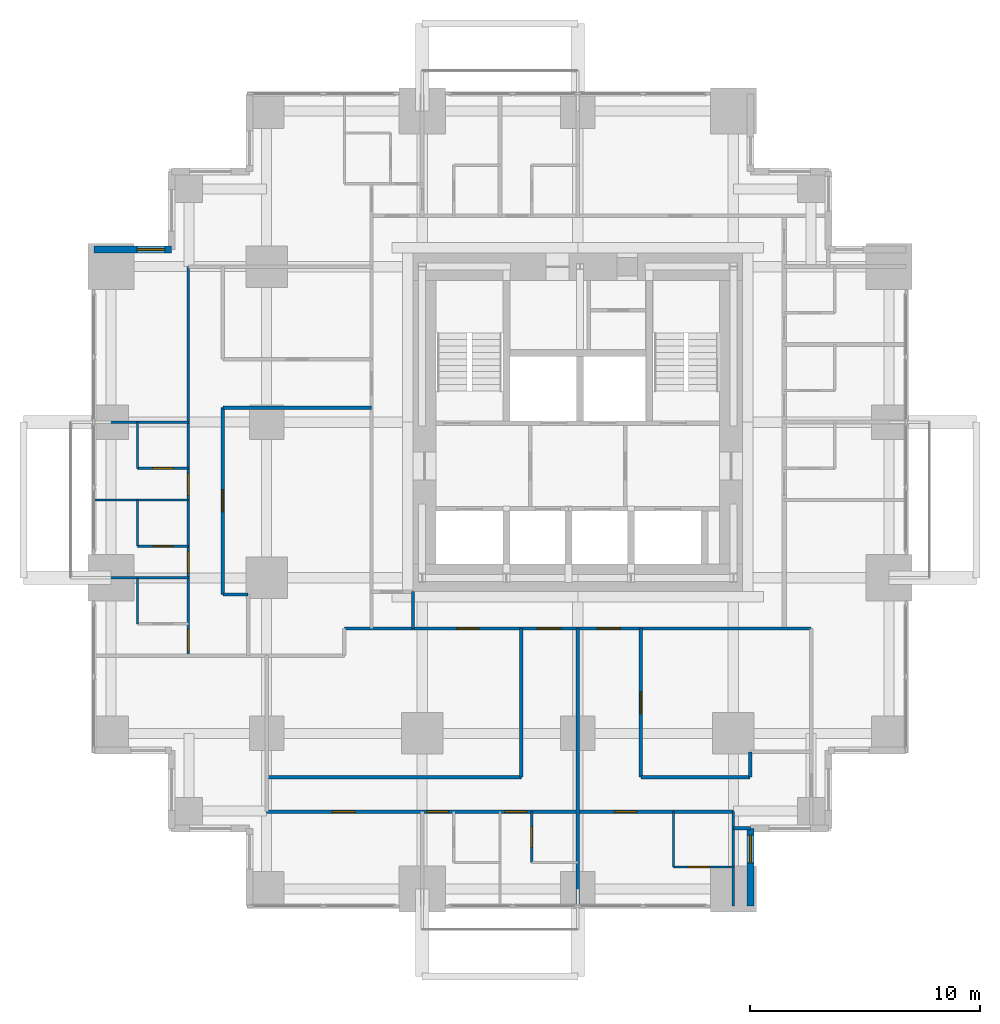
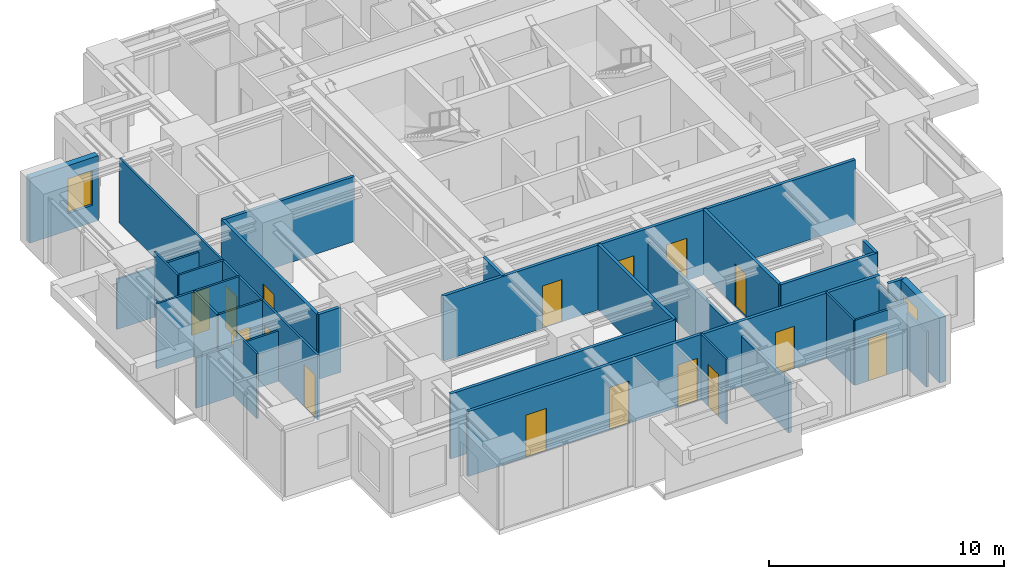
# One storey, part 6 of 10: 28 walls, 16 doors, 2 windows, 18 openings.
"""IFC4 building model written with IfcOpenShell, lengths in metres."""

from ifc_helpers import new_model, si_unit, direction, frame, frame_2d, origin, place, context, subcontext, project, spatial, rectangle, extrude, material, layer, layer_set, type_object, element, fill, save


model = new_model("IFC4")

# Units and contexts
model_context = context("Model", 3, precision=1e-05, world=origin(), true_north=direction((0.0, 1.0)))
body_context = subcontext(model_context, "Body", "Model", "MODEL_VIEW")
ifc_project = project(units=[si_unit("LENGTHUNIT", "METRE"), si_unit("AREAUNIT", "SQUARE_METRE"), si_unit("VOLUMEUNIT", "CUBIC_METRE"), si_unit("PLANEANGLEUNIT", "RADIAN"), si_unit("MASSUNIT", "GRAM", prefix="KILO")], contexts=[model_context])

# Site, building, storey
site_placement = place(None, origin())
site = spatial("IfcSite", under=ifc_project, at=site_placement, CompositionType="ELEMENT")
building_placement = place(site_placement, origin())
building = spatial("IfcBuilding", under=site, at=building_placement, Name="Nyansa Garden Tower", CompositionType="ELEMENT")
storey_placement = place(building_placement, frame((0.0, 0.0, 145.800048828125)))
storey = spatial("IfcBuildingStorey", under=building, at=storey_placement, Name="L39", CompositionType="ELEMENT", Elevation=145.800048828125)

# Wall, opening, door
ifc_material_1 = material(Name="Blockwork, plastered both sides", Category="masonry")
ifc_layer_1 = layer(ifc_material_1, 0.14990234375)
ifc_layer_set_1 = layer_set([ifc_layer_1], Name="Partition PW150")
wall_type_1 = type_object("IfcWallType", Name="Partition PW150", PredefinedType="PARTITIONING", material=ifc_layer_set_1)
wall_1_placement = place(storey_placement, frame((4.85009765625, 12.77490234375, 0.0), z_axis=(0.0, 0.0, 1.0), x_axis=(0.0, 1.0, 0.0)))
wall_1 = element("IfcWall", 1, at=wall_1_placement, inside=storey, type_object=wall_type_1, Name="Partition", PredefinedType="PARTITIONING", context=body_context, shape_type="SweptSolid", body=[
    extrude(rectangle(XDim=8.112548828125, YDim=0.14990234375, at=frame_2d((4.05615234375, 0.0))), origin(), (0.0, 0.0, 1.0), 3.375),
])
opening_1_placement = place(wall_1_placement, frame((3.60009765625, 0.0, 0.0)))
opening_1 = element("IfcOpeningElement", 2, at=opening_1_placement, cuts=wall_1, Name="Opening D01", PredefinedType="OPENING", context=body_context, shape_type="SweptSolid", body=[
    extrude(rectangle(XDim=0.949951171875, YDim=2.199951171875, at=frame_2d((0.47509765625, 1.10009765625))), frame((0.0, 0.0849609375, 0.0), z_axis=(0.0, -1.0, 0.0), x_axis=(1.0, 0.0, 0.0)), (0.0, 0.0, 1.0), 0.169921875),
])
ifc_material_2 = material(Name="Timber flush door, 30 minute fire resisting", Category="wood")
door_type_1 = type_object("IfcDoorType", Name="Bedroom door D01 950x2200", OperationType="SINGLE_SWING_LEFT", PredefinedType="DOOR", material=ifc_material_2)
door_1_placement = place(opening_1_placement, origin())
door_1 = element("IfcDoor", 3, at=door_1_placement, inside=storey, type_object=door_type_1, Name="Door L39-053", OperationType="SINGLE_SWING_LEFT", OverallHeight=2.199951171875, OverallWidth=0.949951171875, PredefinedType="DOOR", context=body_context, shape_type="SweptSolid", body=[
    extrude(rectangle(XDim=0.949951171875, YDim=2.199951171875, at=frame_2d((0.47509765625, 1.10009765625))), frame((0.0, 0.02490234375, 0.0), z_axis=(0.0, -1.0, 0.0), x_axis=(1.0, 0.0, 0.0)), (0.0, 0.0, 1.0), 0.050048828125),
])
fill(opening_1, door_1)

# Walls
wall_2_placement = place(storey_placement, frame((4.85009765625, 12.77490234375, 0.0), z_axis=(0.0, 0.0, 1.0), x_axis=(1.0, 0.0, 0.0)))
element("IfcWall", 4, at=wall_2_placement, inside=storey, type_object=wall_type_1, Name="Partition", PredefinedType="PARTITIONING", context=body_context, shape_type="SweptSolid", body=[
    extrude(rectangle(XDim=1.099853515625, YDim=0.14990234375, at=frame_2d((0.5498046875, 0.0))), origin(), (0.0, 0.0, 1.0), 3.375),
])
wall_3_placement = place(storey_placement, frame((4.85009765625, 20.886962890625, 0.0), z_axis=(0.0, 0.0, 1.0), x_axis=(1.0, 0.0, 0.0)))
element("IfcWall", 5, at=wall_3_placement, inside=storey, type_object=wall_type_1, Name="Partition", PredefinedType="PARTITIONING", context=body_context, shape_type="SweptSolid", body=[
    extrude(rectangle(XDim=6.449951171875, YDim=0.14990234375, at=frame_2d((3.22509765625, 0.0))), origin(), (0.0, 0.0, 1.0), 3.375),
])

# Wall, openings, doors
wall_4_placement = place(storey_placement, frame((6.75, 3.35009765625, 0.0), z_axis=(0.0, 0.0, 1.0), x_axis=(1.0, 0.0, 0.0)))
wall_4 = element("IfcWall", 6, at=wall_4_placement, inside=storey, type_object=wall_type_1, Name="Partition", PredefinedType="PARTITIONING", context=body_context, shape_type="SweptSolid", body=[
    extrude(rectangle(XDim=20.25, YDim=0.14990234375, at=frame_2d((10.125, 0.0))), origin(), (0.0, 0.0, 1.0), 3.375),
])
opening_2_placement = place(wall_4_placement, frame((2.85009765625, 0.0, 0.0)))
opening_2 = element("IfcOpeningElement", 7, at=opening_2_placement, cuts=wall_4, Name="Opening D03", PredefinedType="OPENING", context=body_context, shape_type="SweptSolid", body=[
    extrude(rectangle(XDim=1.0, YDim=2.199951171875, at=frame_2d((0.5, 1.10009765625))), frame((0.0, 0.0849609375, 0.0), z_axis=(0.0, -1.0, 0.0), x_axis=(1.0, 0.0, 0.0)), (0.0, 0.0, 1.0), 0.169921875),
])
opening_3_placement = place(wall_4_placement, frame((6.949951171875, 0.0, 0.0)))
opening_3 = element("IfcOpeningElement", 8, at=opening_3_placement, cuts=wall_4, Name="Opening D01", PredefinedType="OPENING", context=body_context, shape_type="SweptSolid", body=[
    extrude(rectangle(XDim=0.949951171875, YDim=2.199951171875, at=frame_2d((0.47509765625, 1.10009765625))), frame((0.0, 0.0849609375, 0.0), z_axis=(0.0, -1.0, 0.0), x_axis=(1.0, 0.0, 0.0)), (0.0, 0.0, 1.0), 0.169921875),
])
opening_4_placement = place(wall_4_placement, frame((10.324951171875, 0.0, 0.0)))
opening_4 = element("IfcOpeningElement", 9, at=opening_4_placement, cuts=wall_4, Name="Opening D01", PredefinedType="OPENING", context=body_context, shape_type="SweptSolid", body=[
    extrude(rectangle(XDim=0.949951171875, YDim=2.199951171875, at=frame_2d((0.47509765625, 1.10009765625))), frame((0.0, 0.0849609375, 0.0), z_axis=(0.0, -1.0, 0.0), x_axis=(1.0, 0.0, 0.0)), (0.0, 0.0, 1.0), 0.169921875),
])
opening_5_placement = place(wall_4_placement, frame((15.10009765625, 0.0, 0.0)))
opening_5 = element("IfcOpeningElement", 10, at=opening_5_placement, cuts=wall_4, Name="Opening D14", PredefinedType="OPENING", context=body_context, shape_type="SweptSolid", body=[
    extrude(rectangle(XDim=0.949951171875, YDim=2.199951171875, at=frame_2d((0.47509765625, 1.10009765625))), frame((0.0, 0.0849609375, 0.0), z_axis=(0.0, -1.0, 0.0), x_axis=(1.0, 0.0, 0.0)), (0.0, 0.0, 1.0), 0.169921875),
])
door_2_placement = place(opening_3_placement, origin())
door_2 = element("IfcDoor", 11, at=door_2_placement, inside=storey, type_object=door_type_1, Name="Door L39-019", OperationType="SINGLE_SWING_LEFT", OverallHeight=2.199951171875, OverallWidth=0.949951171875, PredefinedType="DOOR", context=body_context, shape_type="SweptSolid", body=[
    extrude(rectangle(XDim=0.949951171875, YDim=2.199951171875, at=frame_2d((0.47509765625, 1.10009765625))), frame((0.0, 0.02490234375, 0.0), z_axis=(0.0, -1.0, 0.0), x_axis=(1.0, 0.0, 0.0)), (0.0, 0.0, 1.0), 0.050048828125),
])
fill(opening_3, door_2)
door_3_placement = place(opening_4_placement, origin())
door_3 = element("IfcDoor", 12, at=door_3_placement, inside=storey, type_object=door_type_1, Name="Door L39-021", OperationType="SINGLE_SWING_LEFT", OverallHeight=2.199951171875, OverallWidth=0.949951171875, PredefinedType="DOOR", context=body_context, shape_type="SweptSolid", body=[
    extrude(rectangle(XDim=0.949951171875, YDim=2.199951171875, at=frame_2d((0.47509765625, 1.10009765625))), frame((0.0, 0.02490234375, 0.0), z_axis=(0.0, -1.0, 0.0), x_axis=(1.0, 0.0, 0.0)), (0.0, 0.0, 1.0), 0.050048828125),
])
fill(opening_4, door_3)
ifc_material_3 = material(Name="Timber flush door, 60 minute fire resisting", Category="wood")
door_type_2 = type_object("IfcDoorType", Name="Cluster entrance door D03 1000x2200", OperationType="SINGLE_SWING_LEFT", PredefinedType="DOOR", material=ifc_material_3)
door_4_placement = place(opening_2_placement, origin())
door_4 = element("IfcDoor", 13, at=door_4_placement, inside=storey, type_object=door_type_2, Name="Door L39-018", OperationType="SINGLE_SWING_LEFT", OverallHeight=2.199951171875, OverallWidth=1.0, PredefinedType="DOOR", context=body_context, shape_type="SweptSolid", body=[
    extrude(rectangle(XDim=1.0, YDim=2.199951171875, at=frame_2d((0.5, 1.10009765625))), frame((0.0, 0.02490234375, 0.0), z_axis=(0.0, -1.0, 0.0), x_axis=(1.0, 0.0, 0.0)), (0.0, 0.0, 1.0), 0.050048828125),
])
fill(opening_2, door_4)
ifc_material_4 = material(Name="Timber flush door, 60 minute fire resisting, self-closing", Category="wood")
door_type_3 = type_object("IfcDoorType", Name="Studio entrance door D14 950x2200", OperationType="SINGLE_SWING_LEFT", PredefinedType="DOOR", material=ifc_material_4)
door_5_placement = place(opening_5_placement, origin())
door_5 = element("IfcDoor", 14, at=door_5_placement, inside=storey, type_object=door_type_3, Name="Door L39-024", OperationType="SINGLE_SWING_LEFT", OverallHeight=2.199951171875, OverallWidth=0.949951171875, PredefinedType="DOOR", context=body_context, shape_type="SweptSolid", body=[
    extrude(rectangle(XDim=0.949951171875, YDim=2.199951171875, at=frame_2d((0.47509765625, 1.10009765625))), frame((0.0, 0.02490234375, 0.0), z_axis=(0.0, -1.0, 0.0), x_axis=(1.0, 0.0, 0.0)), (0.0, 0.0, 1.0), 0.050048828125),
])
fill(opening_5, door_5)

# Wall
wall_5_placement = place(storey_placement, frame((6.75, 4.85009765625, 0.0), z_axis=(0.0, 0.0, 1.0), x_axis=(1.0, 0.0, 0.0)))
element("IfcWall", 15, at=wall_5_placement, inside=storey, type_object=wall_type_1, Name="Partition", PredefinedType="PARTITIONING", context=body_context, shape_type="SweptSolid", body=[
    extrude(rectangle(XDim=11.050048828125, YDim=0.14990234375, at=frame_2d((5.52490234375, 0.0))), origin(), (0.0, 0.0, 1.0), 3.375),
])

# Wall, openings, doors
wall_6_placement = place(storey_placement, frame((10.125, 11.300048828125, 0.0), z_axis=(0.0, 0.0, 1.0), x_axis=(1.0, 0.0, 0.0)))
wall_6 = element("IfcWall", 16, at=wall_6_placement, inside=storey, type_object=wall_type_1, Name="Partition", PredefinedType="PARTITIONING", context=body_context, shape_type="SweptSolid", body=[
    extrude(rectangle(XDim=20.25, YDim=0.14990234375, at=frame_2d((10.125, 0.0))), origin(), (0.0, 0.0, 1.0), 3.375),
])
opening_6_placement = place(wall_6_placement, frame((8.375, 0.0, 0.0)))
opening_6 = element("IfcOpeningElement", 17, at=opening_6_placement, cuts=wall_6, Name="Opening D03", PredefinedType="OPENING", context=body_context, shape_type="SweptSolid", body=[
    extrude(rectangle(XDim=1.0, YDim=2.199951171875, at=frame_2d((0.5, 1.10009765625))), frame((0.0, 0.0849609375, 0.0), z_axis=(0.0, -1.0, 0.0), x_axis=(1.0, 0.0, 0.0)), (0.0, 0.0, 1.0), 0.169921875),
])
opening_7_placement = place(wall_6_placement, frame((10.97509765625, 0.0, 0.0)))
opening_7 = element("IfcOpeningElement", 18, at=opening_7_placement, cuts=wall_6, Name="Opening D03", PredefinedType="OPENING", context=body_context, shape_type="SweptSolid", body=[
    extrude(rectangle(XDim=1.0, YDim=2.199951171875, at=frame_2d((0.5, 1.10009765625))), frame((0.0, 0.0849609375, 0.0), z_axis=(0.0, -1.0, 0.0), x_axis=(1.0, 0.0, 0.0)), (0.0, 0.0, 1.0), 0.169921875),
])
opening_8_placement = place(wall_6_placement, frame((4.875, 0.0, 0.0)))
opening_8 = element("IfcOpeningElement", 19, at=opening_8_placement, cuts=wall_6, Name="Opening D01", PredefinedType="OPENING", context=body_context, shape_type="SweptSolid", body=[
    extrude(rectangle(XDim=0.949951171875, YDim=2.199951171875, at=frame_2d((0.47509765625, 1.10009765625))), frame((0.0, 0.0849609375, 0.0), z_axis=(0.0, -1.0, 0.0), x_axis=(1.0, 0.0, 0.0)), (0.0, 0.0, 1.0), 0.169921875),
])
door_6_placement = place(opening_8_placement, origin())
door_6 = element("IfcDoor", 20, at=door_6_placement, inside=storey, type_object=door_type_1, Name="Door L39-027", OperationType="SINGLE_SWING_LEFT", OverallHeight=2.199951171875, OverallWidth=0.949951171875, PredefinedType="DOOR", context=body_context, shape_type="SweptSolid", body=[
    extrude(rectangle(XDim=0.949951171875, YDim=2.199951171875, at=frame_2d((0.47509765625, 1.10009765625))), frame((0.0, 0.02490234375, 0.0), z_axis=(0.0, -1.0, 0.0), x_axis=(1.0, 0.0, 0.0)), (0.0, 0.0, 1.0), 0.050048828125),
])
fill(opening_8, door_6)
door_7_placement = place(opening_6_placement, origin())
door_7 = element("IfcDoor", 21, at=door_7_placement, inside=storey, type_object=door_type_2, Name="Door L39-023", OperationType="SINGLE_SWING_LEFT", OverallHeight=2.199951171875, OverallWidth=1.0, PredefinedType="DOOR", context=body_context, shape_type="SweptSolid", body=[
    extrude(rectangle(XDim=1.0, YDim=2.199951171875, at=frame_2d((0.5, 1.10009765625))), frame((0.0, 0.02490234375, 0.0), z_axis=(0.0, -1.0, 0.0), x_axis=(1.0, 0.0, 0.0)), (0.0, 0.0, 1.0), 0.050048828125),
])
fill(opening_6, door_7)
door_8_placement = place(opening_7_placement, origin())
door_8 = element("IfcDoor", 22, at=door_8_placement, inside=storey, type_object=door_type_2, Name="Door L39-026", OperationType="SINGLE_SWING_LEFT", OverallHeight=2.199951171875, OverallWidth=1.0, PredefinedType="DOOR", context=body_context, shape_type="SweptSolid", body=[
    extrude(rectangle(XDim=1.0, YDim=2.199951171875, at=frame_2d((0.5, 1.10009765625))), frame((0.0, 0.02490234375, 0.0), z_axis=(0.0, -1.0, 0.0), x_axis=(1.0, 0.0, 0.0)), (0.0, 0.0, 1.0), 0.050048828125),
])
fill(opening_7, door_8)

# Walls
wall_7_placement = place(storey_placement, frame((13.10009765625, 11.300048828125, 0.0), z_axis=(0.0, 0.0, 1.0), x_axis=(0.0, 1.0, 0.0)))
element("IfcWall", 23, at=wall_7_placement, inside=storey, type_object=wall_type_1, Name="Partition", PredefinedType="PARTITIONING", context=body_context, shape_type="SweptSolid", body=[
    extrude(rectangle(XDim=1.599853515625, YDim=0.14990234375, at=frame_2d((0.7998046875, 0.0))), origin(), (0.0, 0.0, 1.0), 3.375),
])
wall_8_placement = place(storey_placement, frame((17.800048828125, 4.85009765625, 0.0), z_axis=(0.0, 0.0, 1.0), x_axis=(0.0, 1.0, 0.0)))
element("IfcWall", 24, at=wall_8_placement, inside=storey, type_object=wall_type_1, Name="Partition", PredefinedType="PARTITIONING", context=body_context, shape_type="SweptSolid", body=[
    extrude(rectangle(XDim=6.449951171875, YDim=0.14990234375, at=frame_2d((3.22509765625, 0.0))), origin(), (0.0, 0.0, 1.0), 3.375),
])
wall_9_placement = place(storey_placement, frame((20.25, -0.73388671875, 0.0), z_axis=(0.0, 0.0, 1.0), x_axis=(0.0, 1.0, 0.0)))
element("IfcWall", 25, at=wall_9_placement, inside=storey, type_object=wall_type_1, Name="Partition", PredefinedType="PARTITIONING", context=body_context, shape_type="SweptSolid", body=[
    extrude(rectangle(XDim=12.033935546875, YDim=0.14990234375, at=frame_2d((6.01708984375, 0.0))), origin(), (0.0, 0.0, 1.0), 2.60986328125),
])
wall_10_placement = place(storey_placement, frame((22.987548828125, 4.85009765625, 0.0), z_axis=(0.0, 0.0, 1.0), x_axis=(1.0, 0.0, 0.0)))
element("IfcWall", 26, at=wall_10_placement, inside=storey, type_object=wall_type_1, Name="Partition", PredefinedType="PARTITIONING", context=body_context, shape_type="SweptSolid", body=[
    extrude(rectangle(XDim=4.737548828125, YDim=0.14990234375, at=frame_2d((2.36865234375, 0.0))), origin(), (0.0, 0.0, 1.0), 3.375),
])

# Wall, opening, door
wall_11_placement = place(storey_placement, frame((22.988037109375, 4.85009765625, 0.0), z_axis=(0.0, 0.0, 1.0), x_axis=(0.0, 1.0, 0.0)))
wall_11 = element("IfcWall", 27, at=wall_11_placement, inside=storey, type_object=wall_type_1, Name="Partition", PredefinedType="PARTITIONING", context=body_context, shape_type="SweptSolid", body=[
    extrude(rectangle(XDim=6.449951171875, YDim=0.14990234375, at=frame_2d((3.22509765625, 0.0))), origin(), (0.0, 0.0, 1.0), 3.375),
])
opening_9_placement = place(wall_11_placement, frame((2.75, 0.0, 0.0)))
opening_9 = element("IfcOpeningElement", 28, at=opening_9_placement, cuts=wall_11, Name="Opening D01", PredefinedType="OPENING", context=body_context, shape_type="SweptSolid", body=[
    extrude(rectangle(XDim=0.949951171875, YDim=2.199951171875, at=frame_2d((0.47509765625, 1.10009765625))), frame((0.0, 0.0849609375, 0.0), z_axis=(0.0, -1.0, 0.0), x_axis=(1.0, 0.0, 0.0)), (0.0, 0.0, 1.0), 0.169921875),
])
door_9_placement = place(opening_9_placement, origin())
door_9 = element("IfcDoor", 29, at=door_9_placement, inside=storey, type_object=door_type_1, Name="Door L39-028", OperationType="SINGLE_SWING_LEFT", OverallHeight=2.199951171875, OverallWidth=0.949951171875, PredefinedType="DOOR", context=body_context, shape_type="SweptSolid", body=[
    extrude(rectangle(XDim=0.949951171875, YDim=2.199951171875, at=frame_2d((0.47509765625, 1.10009765625))), frame((0.0, 0.02490234375, 0.0), z_axis=(0.0, -1.0, 0.0), x_axis=(1.0, 0.0, 0.0)), (0.0, 0.0, 1.0), 0.050048828125),
])
fill(opening_9, door_9)

# Walls
wall_12_placement = place(storey_placement, frame((27.0, 2.625, 0.0), z_axis=(0.0, 0.0, 1.0), x_axis=(1.0, 0.0, 0.0)))
element("IfcWall", 30, at=wall_12_placement, inside=storey, type_object=wall_type_1, Name="Partition", PredefinedType="PARTITIONING", context=body_context, shape_type="SweptSolid", body=[
    extrude(rectangle(XDim=0.73388671875, YDim=0.14990234375, at=frame_2d((0.366943359375, 0.0))), origin(), (0.0, 0.0, 1.0), 3.375),
])
wall_13_placement = place(storey_placement, frame((27.72509765625, 4.85009765625, 0.0), z_axis=(0.0, 0.0, 1.0), x_axis=(0.0, 1.0, 0.0)))
element("IfcWall", 31, at=wall_13_placement, inside=storey, type_object=wall_type_1, Name="Partition", PredefinedType="PARTITIONING", context=body_context, shape_type="SweptSolid", body=[
    extrude(rectangle(XDim=1.099853515625, YDim=0.14990234375, at=frame_2d((0.5498046875, 0.0))), origin(), (0.0, 0.0, 1.0), 3.375),
])

# Wall, opening, window
ifc_material_5 = material(Name="Turquoise glazed tile on concrete blockwork", Category="masonry")
ifc_layer_2 = layer(ifc_material_5, 0.300048828125)
ifc_layer_set_2 = layer_set([ifc_layer_2], Name="Tiled corner wall TW300")
wall_type_2 = type_object("IfcWallType", Name="Tiled corner wall TW300", PredefinedType="SOLIDWALL", material=ifc_layer_set_2)
wall_14_placement = place(storey_placement, frame((2.625, 27.75, 0.0), z_axis=(0.0, 0.0, 1.0), x_axis=(-1.0, 0.0, 0.0)))
wall_14 = element("IfcWall", 32, at=wall_14_placement, inside=storey, type_object=wall_type_2, Name="Tiled corner wall L39", PredefinedType="SOLIDWALL", context=body_context, shape_type="SweptSolid", body=[
    extrude(rectangle(XDim=3.375, YDim=0.300048828125, at=frame_2d((1.6875, 0.0))), origin(), (0.0, 0.0, 1.0), 3.375),
])
opening_10_placement = place(wall_14_placement, frame((0.29248046875, 0.0, 0.89990234375)))
opening_10 = element("IfcOpeningElement", 33, at=opening_10_placement, cuts=wall_14, Name="Opening W4", PredefinedType="OPENING", context=body_context, shape_type="SweptSolid", body=[
    extrude(rectangle(XDim=1.199951171875, YDim=1.800048828125, at=frame_2d((0.60009765625, 0.89990234375))), frame((0.0, 0.159912109375, 0.0), z_axis=(0.0, -1.0, 0.0), x_axis=(1.0, 0.0, 0.0)), (0.0, 0.0, 1.0), 0.320068359375),
])
ifc_material_6 = material(Name="Black aluminium frame, dark tinted double glazing", Category="aluminium")
window_type = type_object("IfcWindowType", Name="Window W4 1200x1800", PartitioningType="SINGLE_PANEL", PredefinedType="WINDOW", material=ifc_material_6)
window_1_placement = place(opening_10_placement, origin())
window_1 = element("IfcWindow", 34, at=window_1_placement, inside=storey, type_object=window_type, Name="Corner window L39", OverallHeight=1.800048828125, OverallWidth=1.199951171875, PartitioningType="SINGLE_PANEL", PredefinedType="WINDOW", context=body_context, shape_type="SweptSolid", body=[
    extrude(rectangle(XDim=1.199951171875, YDim=1.800048828125, at=frame_2d((0.60009765625, 0.89990234375))), frame((0.0, 0.030029296875, 0.0), z_axis=(0.0, -1.0, 0.0), x_axis=(1.0, 0.0, 0.0)), (0.0, 0.0, 1.0), 0.06005859375),
])
fill(opening_10, window_1)

wall_15_placement = place(storey_placement, frame((27.75, -0.75, 0.0), z_axis=(0.0, 0.0, 1.0), x_axis=(0.0, 1.0, 0.0)))
wall_15 = element("IfcWall", 35, at=wall_15_placement, inside=storey, type_object=wall_type_2, Name="Tiled corner wall L39", PredefinedType="SOLIDWALL", context=body_context, shape_type="SweptSolid", body=[
    extrude(rectangle(XDim=3.375, YDim=0.300048828125, at=frame_2d((1.6875, 0.0))), origin(), (0.0, 0.0, 1.0), 3.375),
])
opening_11_placement = place(wall_15_placement, frame((1.882568359375, 0.0, 0.89990234375)))
opening_11 = element("IfcOpeningElement", 36, at=opening_11_placement, cuts=wall_15, Name="Opening W4", PredefinedType="OPENING", context=body_context, shape_type="SweptSolid", body=[
    extrude(rectangle(XDim=1.199951171875, YDim=1.800048828125, at=frame_2d((0.60009765625, 0.89990234375))), frame((0.0, 0.159912109375, 0.0), z_axis=(0.0, -1.0, 0.0), x_axis=(1.0, 0.0, 0.0)), (0.0, 0.0, 1.0), 0.320068359375),
])
window_2_placement = place(opening_11_placement, origin())
window_2 = element("IfcWindow", 37, at=window_2_placement, inside=storey, type_object=window_type, Name="Corner window L39", OverallHeight=1.800048828125, OverallWidth=1.199951171875, PartitioningType="SINGLE_PANEL", PredefinedType="WINDOW", context=body_context, shape_type="SweptSolid", body=[
    extrude(rectangle(XDim=1.199951171875, YDim=1.800048828125, at=frame_2d((0.60009765625, 0.89990234375))), frame((0.0, 0.030029296875, 0.0), z_axis=(0.0, -1.0, 0.0), x_axis=(1.0, 0.0, 0.0)), (0.0, 0.0, 1.0), 0.06005859375),
])
fill(opening_11, window_2)

# Walls
ifc_material_7 = material(Name="Moisture resistant board on steel studs, tiled", Category="steel")
ifc_layer_3 = layer(ifc_material_7, 0.10009765625)
ifc_layer_set_3 = layer_set([ifc_layer_3], Name="Wet wall PW100")
wall_type_3 = type_object("IfcWallType", Name="Wet wall PW100", PredefinedType="PARTITIONING", material=ifc_layer_set_3)
wall_16_placement = place(storey_placement, frame((-0.73388671875, 13.5, 0.0), z_axis=(0.0, 0.0, 1.0), x_axis=(1.0, 0.0, 0.0)))
element("IfcWall", 38, at=wall_16_placement, inside=storey, type_object=wall_type_3, Name="Wet wall", PredefinedType="PARTITIONING", context=body_context, shape_type="SweptSolid", body=[
    extrude(rectangle(XDim=4.083984375, YDim=0.10009765625, at=frame_2d((2.0419921875, 0.0))), origin(), (0.0, 0.0, 1.0), 2.60986328125),
])
wall_17_placement = place(storey_placement, frame((-0.73388671875, 16.875, 0.0), z_axis=(0.0, 0.0, 1.0), x_axis=(1.0, 0.0, 0.0)))
element("IfcWall", 39, at=wall_17_placement, inside=storey, type_object=wall_type_3, Name="Wet wall", PredefinedType="PARTITIONING", context=body_context, shape_type="SweptSolid", body=[
    extrude(rectangle(XDim=4.083984375, YDim=0.10009765625, at=frame_2d((2.0419921875, 0.0))), origin(), (0.0, 0.0, 1.0), 3.375),
])
wall_18_placement = place(storey_placement, frame((-0.73388671875, 20.25, 0.0), z_axis=(0.0, 0.0, 1.0), x_axis=(1.0, 0.0, 0.0)))
element("IfcWall", 40, at=wall_18_placement, inside=storey, type_object=wall_type_3, Name="Wet wall", PredefinedType="PARTITIONING", context=body_context, shape_type="SweptSolid", body=[
    extrude(rectangle(XDim=4.083984375, YDim=0.10009765625, at=frame_2d((2.0419921875, 0.0))), origin(), (0.0, 0.0, 1.0), 2.60986328125),
])
for number, where, z_axis, x_axis, name in (
    (41, (1.14990234375, 11.5, 0.0), (0.0, 0.0, 1.0), (0.0, 1.0, 0.0), "Wet wall"),
    (42, (1.14990234375, 14.875, 0.0), (0.0, 0.0, 1.0), (0.0, 1.0, 0.0), "Wet wall"),
):
    element("IfcWall", number, at=place(storey_placement, frame(where, z_axis=z_axis, x_axis=x_axis)), inside=storey, type_object=wall_type_3, Name=name, PredefinedType="PARTITIONING", context=body_context, shape_type="SweptSolid", body=[
        extrude(rectangle(XDim=2.0, YDim=0.10009765625, at=frame_2d((1.0, 0.0))), origin(), (0.0, 0.0, 1.0), 3.375),
    ])

# Wall, opening, door
wall_19_placement = place(storey_placement, frame((1.14990234375, 14.875, 0.0), z_axis=(0.0, 0.0, 1.0), x_axis=(1.0, 0.0, 0.0)))
wall_19 = element("IfcWall", 43, at=wall_19_placement, inside=storey, type_object=wall_type_3, Name="Wet wall", PredefinedType="PARTITIONING", context=body_context, shape_type="SweptSolid", body=[
    extrude(rectangle(XDim=2.2001953125, YDim=0.10009765625, at=frame_2d((1.10009765625, 0.0))), origin(), (0.0, 0.0, 1.0), 3.375),
])
opening_12_placement = place(wall_19_placement, frame((0.64990234375, 0.0, 0.0)))
opening_12 = element("IfcOpeningElement", 44, at=opening_12_placement, cuts=wall_19, Name="Opening D02", PredefinedType="OPENING", context=body_context, shape_type="SweptSolid", body=[
    extrude(rectangle(XDim=0.89990234375, YDim=2.199951171875, at=frame_2d((0.449951171875, 1.10009765625))), frame((0.0, 0.06005859375, 0.0), z_axis=(0.0, -1.0, 0.0), x_axis=(1.0, 0.0, 0.0)), (0.0, 0.0, 1.0), 0.1201171875),
])
ifc_material_8 = material(Name="Timber flush door", Category="wood")
door_type_4 = type_object("IfcDoorType", Name="En-suite door D02 900x2200", OperationType="SINGLE_SWING_RIGHT", PredefinedType="DOOR", material=ifc_material_8)
door_10_placement = place(opening_12_placement, origin())
door_10 = element("IfcDoor", 45, at=door_10_placement, inside=storey, type_object=door_type_4, Name="Door L39-049", OperationType="SINGLE_SWING_RIGHT", OverallHeight=2.199951171875, OverallWidth=0.89990234375, PredefinedType="DOOR", context=body_context, shape_type="SweptSolid", body=[
    extrude(rectangle(XDim=0.89990234375, YDim=2.199951171875, at=frame_2d((0.449951171875, 1.10009765625))), frame((0.0, 0.02490234375, 0.0), z_axis=(0.0, -1.0, 0.0), x_axis=(1.0, 0.0, 0.0)), (0.0, 0.0, 1.0), 0.050048828125),
])
fill(opening_12, door_10)

# Wall
wall_20_placement = place(storey_placement, frame((1.14990234375, 18.25, 0.0), z_axis=(0.0, 0.0, 1.0), x_axis=(0.0, 1.0, 0.0)))
element("IfcWall", 46, at=wall_20_placement, inside=storey, type_object=wall_type_3, Name="Wet wall", PredefinedType="PARTITIONING", context=body_context, shape_type="SweptSolid", body=[
    extrude(rectangle(XDim=2.0, YDim=0.10009765625, at=frame_2d((1.0, 0.0))), origin(), (0.0, 0.0, 1.0), 3.375),
])

# Wall, opening, door
wall_21_placement = place(storey_placement, frame((1.14990234375, 18.25, 0.0), z_axis=(0.0, 0.0, 1.0), x_axis=(1.0, 0.0, 0.0)))
wall_21 = element("IfcWall", 47, at=wall_21_placement, inside=storey, type_object=wall_type_3, Name="Wet wall", PredefinedType="PARTITIONING", context=body_context, shape_type="SweptSolid", body=[
    extrude(rectangle(XDim=2.2001953125, YDim=0.10009765625, at=frame_2d((1.10009765625, 0.0))), origin(), (0.0, 0.0, 1.0), 3.375),
])
opening_13_placement = place(wall_21_placement, frame((0.64990234375, 0.0, 0.0)))
opening_13 = element("IfcOpeningElement", 48, at=opening_13_placement, cuts=wall_21, Name="Opening D02", PredefinedType="OPENING", context=body_context, shape_type="SweptSolid", body=[
    extrude(rectangle(XDim=0.89990234375, YDim=2.199951171875, at=frame_2d((0.449951171875, 1.10009765625))), frame((0.0, 0.06005859375, 0.0), z_axis=(0.0, -1.0, 0.0), x_axis=(1.0, 0.0, 0.0)), (0.0, 0.0, 1.0), 0.1201171875),
])
door_11_placement = place(opening_13_placement, origin())
door_11 = element("IfcDoor", 49, at=door_11_placement, inside=storey, type_object=door_type_4, Name="Door L39-051", OperationType="SINGLE_SWING_RIGHT", OverallHeight=2.199951171875, OverallWidth=0.89990234375, PredefinedType="DOOR", context=body_context, shape_type="SweptSolid", body=[
    extrude(rectangle(XDim=0.89990234375, YDim=2.199951171875, at=frame_2d((0.449951171875, 1.10009765625))), frame((0.0, 0.02490234375, 0.0), z_axis=(0.0, -1.0, 0.0), x_axis=(1.0, 0.0, 0.0)), (0.0, 0.0, 1.0), 0.050048828125),
])
fill(opening_13, door_11)

# Wall, openings, doors
wall_22_placement = place(storey_placement, frame((3.35009765625, 10.125, 0.0), z_axis=(0.0, 0.0, 1.0), x_axis=(0.0, 1.0, 0.0)))
wall_22 = element("IfcWall", 50, at=wall_22_placement, inside=storey, type_object=wall_type_3, Name="Wet wall", PredefinedType="PARTITIONING", context=body_context, shape_type="SweptSolid", body=[
    extrude(rectangle(XDim=16.875, YDim=0.10009765625, at=frame_2d((8.4375, 0.0))), origin(), (0.0, 0.0, 1.0), 3.375),
])
opening_14_placement = place(wall_22_placement, frame((0.199951171875, 0.0, 0.0)))
opening_14 = element("IfcOpeningElement", 51, at=opening_14_placement, cuts=wall_22, Name="Opening D14", PredefinedType="OPENING", context=body_context, shape_type="SweptSolid", body=[
    extrude(rectangle(XDim=0.949951171875, YDim=2.199951171875, at=frame_2d((0.47509765625, 1.10009765625))), frame((0.0, 0.06005859375, 0.0), z_axis=(0.0, -1.0, 0.0), x_axis=(1.0, 0.0, 0.0)), (0.0, 0.0, 1.0), 0.1201171875),
])
opening_15_placement = place(wall_22_placement, frame((3.574951171875, 0.0, 0.0)))
opening_15 = element("IfcOpeningElement", 52, at=opening_15_placement, cuts=wall_22, Name="Opening D14", PredefinedType="OPENING", context=body_context, shape_type="SweptSolid", body=[
    extrude(rectangle(XDim=0.949951171875, YDim=2.199951171875, at=frame_2d((0.47509765625, 1.10009765625))), frame((0.0, 0.06005859375, 0.0), z_axis=(0.0, -1.0, 0.0), x_axis=(1.0, 0.0, 0.0)), (0.0, 0.0, 1.0), 0.1201171875),
])
opening_16_placement = place(wall_22_placement, frame((6.949951171875, 0.0, 0.0)))
opening_16 = element("IfcOpeningElement", 53, at=opening_16_placement, cuts=wall_22, Name="Opening D14", PredefinedType="OPENING", context=body_context, shape_type="SweptSolid", body=[
    extrude(rectangle(XDim=0.949951171875, YDim=2.199951171875, at=frame_2d((0.47509765625, 1.10009765625))), frame((0.0, 0.06005859375, 0.0), z_axis=(0.0, -1.0, 0.0), x_axis=(1.0, 0.0, 0.0)), (0.0, 0.0, 1.0), 0.1201171875),
])
door_12_placement = place(opening_14_placement, origin())
door_12 = element("IfcDoor", 54, at=door_12_placement, inside=storey, type_object=door_type_3, Name="Door L39-046", OperationType="SINGLE_SWING_LEFT", OverallHeight=2.199951171875, OverallWidth=0.949951171875, PredefinedType="DOOR", context=body_context, shape_type="SweptSolid", body=[
    extrude(rectangle(XDim=0.949951171875, YDim=2.199951171875, at=frame_2d((0.47509765625, 1.10009765625))), frame((0.0, 0.02490234375, 0.0), z_axis=(0.0, -1.0, 0.0), x_axis=(1.0, 0.0, 0.0)), (0.0, 0.0, 1.0), 0.050048828125),
])
fill(opening_14, door_12)
door_13_placement = place(opening_15_placement, origin())
door_13 = element("IfcDoor", 55, at=door_13_placement, inside=storey, type_object=door_type_3, Name="Door L39-048", OperationType="SINGLE_SWING_LEFT", OverallHeight=2.199951171875, OverallWidth=0.949951171875, PredefinedType="DOOR", context=body_context, shape_type="SweptSolid", body=[
    extrude(rectangle(XDim=0.949951171875, YDim=2.199951171875, at=frame_2d((0.47509765625, 1.10009765625))), frame((0.0, 0.02490234375, 0.0), z_axis=(0.0, -1.0, 0.0), x_axis=(1.0, 0.0, 0.0)), (0.0, 0.0, 1.0), 0.050048828125),
])
fill(opening_15, door_13)
door_14_placement = place(opening_16_placement, origin())
door_14 = element("IfcDoor", 56, at=door_14_placement, inside=storey, type_object=door_type_3, Name="Door L39-050", OperationType="SINGLE_SWING_LEFT", OverallHeight=2.199951171875, OverallWidth=0.949951171875, PredefinedType="DOOR", context=body_context, shape_type="SweptSolid", body=[
    extrude(rectangle(XDim=0.949951171875, YDim=2.199951171875, at=frame_2d((0.47509765625, 1.10009765625))), frame((0.0, 0.02490234375, 0.0), z_axis=(0.0, -1.0, 0.0), x_axis=(1.0, 0.0, 0.0)), (0.0, 0.0, 1.0), 0.050048828125),
])
fill(opening_16, door_14)

# Wall, opening, door
wall_23_placement = place(storey_placement, frame((18.25, 1.14990234375, 0.0), z_axis=(0.0, 0.0, 1.0), x_axis=(0.0, 1.0, 0.0)))
wall_23 = element("IfcWall", 57, at=wall_23_placement, inside=storey, type_object=wall_type_3, Name="Wet wall", PredefinedType="PARTITIONING", context=body_context, shape_type="SweptSolid", body=[
    extrude(rectangle(XDim=2.2001953125, YDim=0.10009765625, at=frame_2d((1.10009765625, 0.0))), origin(), (0.0, 0.0, 1.0), 3.375),
])
opening_17_placement = place(wall_23_placement, frame((0.64990234375, 0.0, 0.0)))
opening_17 = element("IfcOpeningElement", 58, at=opening_17_placement, cuts=wall_23, Name="Opening D02", PredefinedType="OPENING", context=body_context, shape_type="SweptSolid", body=[
    extrude(rectangle(XDim=0.89990234375, YDim=2.199951171875, at=frame_2d((0.449951171875, 1.10009765625))), frame((0.0, 0.06005859375, 0.0), z_axis=(0.0, -1.0, 0.0), x_axis=(1.0, 0.0, 0.0)), (0.0, 0.0, 1.0), 0.1201171875),
])
door_15_placement = place(opening_17_placement, origin())
door_15 = element("IfcDoor", 59, at=door_15_placement, inside=storey, type_object=door_type_4, Name="Door L39-022", OperationType="SINGLE_SWING_RIGHT", OverallHeight=2.199951171875, OverallWidth=0.89990234375, PredefinedType="DOOR", context=body_context, shape_type="SweptSolid", body=[
    extrude(rectangle(XDim=0.89990234375, YDim=2.199951171875, at=frame_2d((0.449951171875, 1.10009765625))), frame((0.0, 0.02490234375, 0.0), z_axis=(0.0, -1.0, 0.0), x_axis=(1.0, 0.0, 0.0)), (0.0, 0.0, 1.0), 0.050048828125),
])
fill(opening_17, door_15)

# Wall
wall_24_placement = place(storey_placement, frame((24.39990234375, 0.949951171875, 0.0), z_axis=(0.0, 0.0, 1.0), x_axis=(0.0, 1.0, 0.0)))
element("IfcWall", 60, at=wall_24_placement, inside=storey, type_object=wall_type_3, Name="Wet wall", PredefinedType="PARTITIONING", context=body_context, shape_type="SweptSolid", body=[
    extrude(rectangle(XDim=2.400146484375, YDim=0.10009765625, at=frame_2d((1.2001953125, 0.0))), origin(), (0.0, 0.0, 1.0), 3.375),
])

# Wall, opening, door
wall_25_placement = place(storey_placement, frame((24.39990234375, 0.949951171875, 0.0), z_axis=(0.0, 0.0, 1.0), x_axis=(1.0, 0.0, 0.0)))
wall_25 = element("IfcWall", 61, at=wall_25_placement, inside=storey, type_object=wall_type_3, Name="Wet wall", PredefinedType="PARTITIONING", context=body_context, shape_type="SweptSolid", body=[
    extrude(rectangle(XDim=2.60009765625, YDim=0.10009765625, at=frame_2d((1.300048828125, 0.0))), origin(), (0.0, 0.0, 1.0), 3.375),
])
opening_18_placement = place(wall_25_placement, frame((0.64990234375, 0.0, 0.0)))
opening_18 = element("IfcOpeningElement", 62, at=opening_18_placement, cuts=wall_25, Name="Opening D02", PredefinedType="OPENING", context=body_context, shape_type="SweptSolid", body=[
    extrude(rectangle(XDim=0.89990234375, YDim=2.199951171875, at=frame_2d((0.449951171875, 1.10009765625))), frame((0.0, 0.06005859375, 0.0), z_axis=(0.0, -1.0, 0.0), x_axis=(1.0, 0.0, 0.0)), (0.0, 0.0, 1.0), 0.1201171875),
])
door_16_placement = place(opening_18_placement, origin())
door_16 = element("IfcDoor", 63, at=door_16_placement, inside=storey, type_object=door_type_4, Name="Door L39-025", OperationType="SINGLE_SWING_RIGHT", OverallHeight=2.199951171875, OverallWidth=0.89990234375, PredefinedType="DOOR", context=body_context, shape_type="SweptSolid", body=[
    extrude(rectangle(XDim=0.89990234375, YDim=2.199951171875, at=frame_2d((0.449951171875, 1.10009765625))), frame((0.0, 0.02490234375, 0.0), z_axis=(0.0, -1.0, 0.0), x_axis=(1.0, 0.0, 0.0)), (0.0, 0.0, 1.0), 0.050048828125),
])
fill(opening_18, door_16)

# Wall
wall_26_placement = place(storey_placement, frame((27.0, -0.73388671875, 0.0), z_axis=(0.0, 0.0, 1.0), x_axis=(0.0, 1.0, 0.0)))
element("IfcWall", 64, at=wall_26_placement, inside=storey, type_object=wall_type_3, Name="Wet wall", PredefinedType="PARTITIONING", context=body_context, shape_type="SweptSolid", body=[
    extrude(rectangle(XDim=4.083984375, YDim=0.10009765625, at=frame_2d((2.0419921875, 0.0))), origin(), (0.0, 0.0, 1.0), 2.876953125),
])

save(model, "model.ifc")
